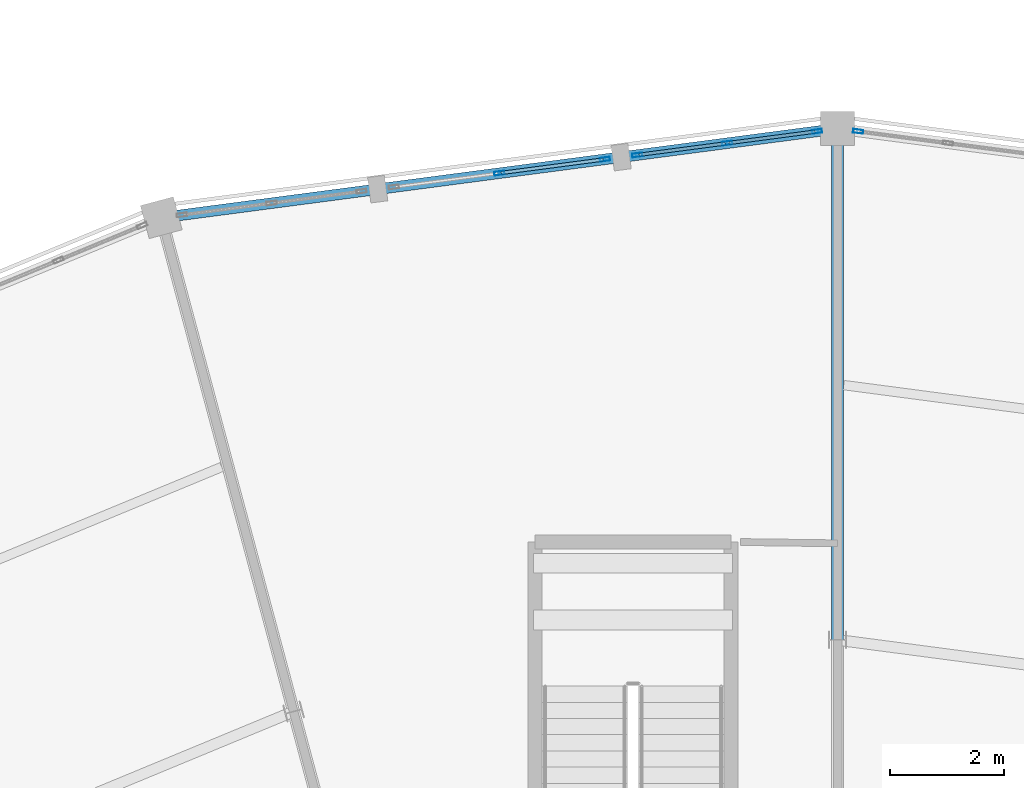
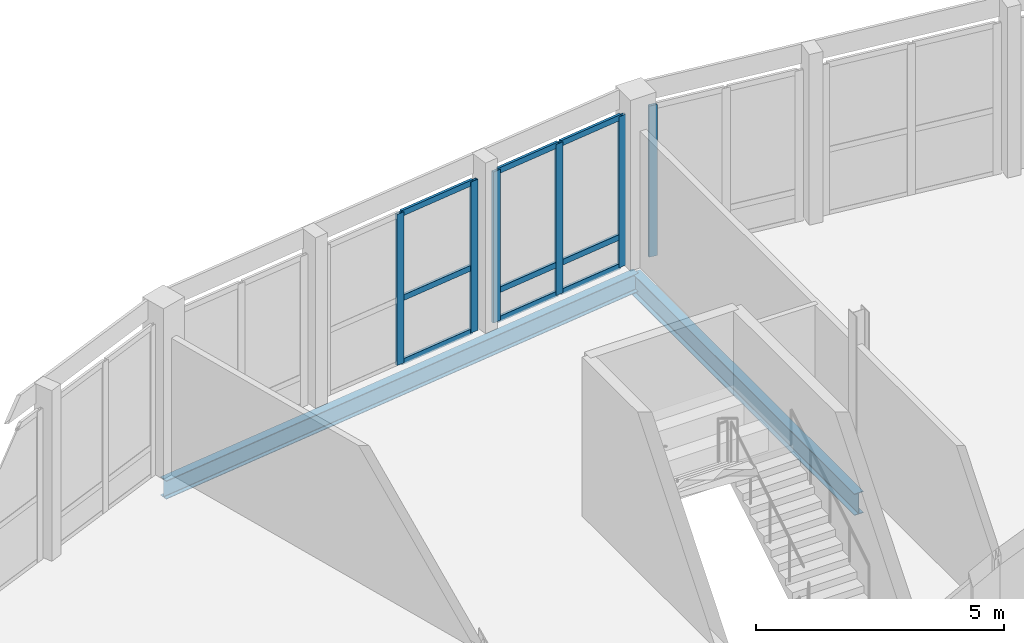
# One storey, part 83 of 170: 15 members, 2 beams, 3 elements without a shape of their own.
"""IFC4 building model written with IfcOpenShell, lengths in metres."""

from ifc_helpers import new_model, si_unit, direction, frame, origin, origin_2d, place, context, subcontext, project, spatial, hollow_rectangle, i_section, extrude, material, material_profile, profile_set, type_object, element, aggregate, save


model = new_model("IFC4")

# Units and contexts
model_context = context("Model", 3, precision=1e-05, world=origin(), true_north=direction((0.0, 1.0)))
body_context = subcontext(model_context, "Body", "Model", "MODEL_VIEW")
ifc_project = project(units=[si_unit("LENGTHUNIT", "METRE"), si_unit("AREAUNIT", "SQUARE_METRE"), si_unit("VOLUMEUNIT", "CUBIC_METRE"), si_unit("PLANEANGLEUNIT", "RADIAN"), si_unit("MASSUNIT", "GRAM", prefix="KILO")], contexts=[model_context])

# Site, building, storey
site_placement = place(None, origin())
site = spatial("IfcSite", under=ifc_project, at=site_placement, CompositionType="ELEMENT")
building_placement = place(site_placement, origin())
building = spatial("IfcBuilding", under=site, at=building_placement, Name="Vondelvale Polytechnic", CompositionType="ELEMENT")
storey_placement = place(building_placement, frame((0.0, 0.0, 5.39990234375)))
storey = spatial("IfcBuildingStorey", under=building, at=storey_placement, Name="L01", CompositionType="ELEMENT", Elevation=5.39990234375)

# Beams
ifc_material_1 = material(Name="Steel 300PLUS (fy = 300 MPa)", Category="steel")
ifc_material_profile_1 = material_profile(ifc_material_1, i_section(OverallWidth=0.18994140625, OverallDepth=0.45703125, WebThickness=0.009033203125, FlangeThickness=0.014404296875, FilletRadius=0.011474609375, at=origin_2d()), Name="460UB74.6")
ifc_profile_set_1 = profile_set([ifc_material_profile_1], Name="Steel 300PLUS (fy = 300 MPa)")
beam_type_1 = type_object("IfcBeamType", Name="BM-UB460", PredefinedType="BEAM", material=ifc_profile_set_1)
beam_1_placement = place(storey_placement, frame((102.0, 118.0, -0.50830078125), z_axis=(-0.991445297315, -0.130522880875, 0.0), x_axis=(0.130522880875, -0.991445297315, 0.0)))
element("IfcBeam", 1, at=beam_1_placement, inside=storey, type_object=beam_type_1, Name="L01 RB B-13", PredefinedType="BEAM", context=body_context, shape_type="SweptSolid", body=[
    extrude(i_section(OverallWidth=0.18994140625, OverallDepth=0.45703125, WebThickness=0.009033203125, FlangeThickness=0.014404296875, FilletRadius=0.011474609375, at=origin_2d()), origin(), (0.0, 0.0, 1.0), 12.008544921875),
])
ifc_material_profile_2 = material_profile(ifc_material_1, i_section(OverallWidth=0.208984375, OverallDepth=0.532958984375, WebThickness=0.01025390625, FlangeThickness=0.015625, FilletRadius=0.013916015625, at=origin_2d()), Name="530UB92.4")
ifc_profile_set_2 = profile_set([ifc_material_profile_2], Name="Steel 300PLUS (fy = 300 MPa)")
beam_type_2 = type_object("IfcBeamType", Name="BM-UB530", PredefinedType="BEAM", material=ifc_profile_set_2)
beam_2_placement = place(storey_placement, frame((102.0, 109.0, -0.54638671875), z_axis=(0.0, 1.0, 0.0), x_axis=(-1.0, 0.0, 0.0)))
element("IfcBeam", 2, at=beam_2_placement, inside=storey, type_object=beam_type_2, Name="L01 RG B-11", PredefinedType="BEAM", context=body_context, shape_type="SweptSolid", body=[
    extrude(i_section(OverallWidth=0.208984375, OverallDepth=0.532958984375, WebThickness=0.01025390625, FlangeThickness=0.015625, FilletRadius=0.013916015625, at=origin_2d()), origin(), (0.0, 0.0, 1.0), 9.0),
])

# Curtain wall, member
ifc_material_2 = material(Name="Glulam GL18 structural Tasmanian oak (fb = 42 MPa)", Category="wood")
curtain_wall_type = type_object("IfcCurtainWallType", Name="CW-RING-OUTER", PredefinedType="NOTDEFINED", material=ifc_material_2)
curtain_wall_1_placement = place(storey_placement, origin())
curtain_wall_1 = element("IfcCurtainWall", 3, at=curtain_wall_1_placement, inside=storey, type_object=curtain_wall_type, Name="L01 architectural curtain wall CW-04-138", PredefinedType="NOTDEFINED")
ifc_material_3 = material(Name="Anodised extruded aluminium 6063-T6", Category="aluminium")
ifc_material_profile_3 = material_profile(ifc_material_3, hollow_rectangle(XDim=0.06494140625, YDim=0.179931640625, WallThickness=0.00390625, at=origin_2d()), Name="CW-MUL-180x65")
ifc_profile_set_3 = profile_set([ifc_material_profile_3], Name="Anodised extruded aluminium 6063-T6")
member_type_1 = type_object("IfcMemberType", Name="CW-MUL-65x180", PredefinedType="MULLION", material=ifc_profile_set_3)
member_1_placement = place(storey_placement, frame((102.362060546875, 117.952392578125, 0.0), z_axis=(0.0, 0.0, 1.0), x_axis=(-0.130539547729, -0.991443102996, 0.0)))
member_1 = element("IfcMember", 4, at=member_1_placement, type_object=member_type_1, Name="CW-04-138 mullion 3", PredefinedType="MULLION", context=body_context, shape_type="SweptSolid", body=[
    extrude(hollow_rectangle(XDim=0.06494140625, YDim=0.179931640625, WallThickness=0.00390625, at=origin_2d()), origin(), (0.0, 0.0, 1.0), 3.72021484375),
])
aggregate(curtain_wall_1, [member_1])

# Curtain wall, members
curtain_wall_2_placement = place(storey_placement, origin())
curtain_wall_2 = element("IfcCurtainWall", 5, at=curtain_wall_2_placement, inside=storey, type_object=curtain_wall_type, Name="L01 architectural curtain wall CW-04-156", PredefinedType="NOTDEFINED")
member_2_placement = place(storey_placement, frame((101.637939453125, 117.952392578125, 0.0), z_axis=(0.0, 0.0, 1.0), x_axis=(0.130539547729, -0.991443102996, 0.0)))
member_2 = element("IfcMember", 6, at=member_2_placement, type_object=member_type_1, Name="CW-04-156 mullion 1", PredefinedType="MULLION", context=body_context, shape_type="SweptSolid", body=[
    extrude(hollow_rectangle(XDim=0.06494140625, YDim=0.179931640625, WallThickness=0.00390625, at=origin_2d()), origin(), (0.0, 0.0, 1.0), 3.72021484375),
])
member_3_placement = place(storey_placement, frame((100.056640625, 117.744140625, 0.0), z_axis=(0.0, 0.0, 1.0), x_axis=(0.130539547729, -0.991443102996, 0.0)))
member_3 = element("IfcMember", 7, at=member_3_placement, type_object=member_type_1, Name="CW-04-156 mullion 2", PredefinedType="MULLION", context=body_context, shape_type="SweptSolid", body=[
    extrude(hollow_rectangle(XDim=0.06494140625, YDim=0.179931640625, WallThickness=0.00390625, at=origin_2d()), origin(), (0.0, 0.0, 1.0), 3.72021484375),
])
member_4_placement = place(storey_placement, frame((98.475341796875, 117.535888671875, 0.0), z_axis=(0.0, 0.0, 1.0), x_axis=(0.130539547729, -0.991443102996, 0.0)))
member_4 = element("IfcMember", 8, at=member_4_placement, type_object=member_type_1, Name="CW-04-156 mullion 3", PredefinedType="MULLION", context=body_context, shape_type="SweptSolid", body=[
    extrude(hollow_rectangle(XDim=0.06494140625, YDim=0.179931640625, WallThickness=0.00390625, at=origin_2d()), origin(), (0.0, 0.0, 1.0), 3.72021484375),
])

curtain_wall_3_placement = place(storey_placement, origin())
curtain_wall_3 = element("IfcCurtainWall", 9, at=curtain_wall_3_placement, inside=storey, type_object=curtain_wall_type, Name="L01 architectural curtain wall CW-04-157", PredefinedType="NOTDEFINED")
member_5_placement = place(storey_placement, frame((97.9052734375, 117.4609375, 0.0), z_axis=(0.0, 0.0, 1.0), x_axis=(0.130497251349, -0.991448671082, 0.0)))
member_5 = element("IfcMember", 10, at=member_5_placement, type_object=member_type_1, Name="CW-04-157 mullion 1", PredefinedType="MULLION", context=body_context, shape_type="SweptSolid", body=[
    extrude(hollow_rectangle(XDim=0.06494140625, YDim=0.179931640625, WallThickness=0.00390625, at=origin_2d()), origin(), (0.0, 0.0, 1.0), 3.72021484375),
])
member_6_placement = place(storey_placement, frame((96.047119140625, 117.21630859375, 0.0), z_axis=(0.0, 0.0, 1.0), x_axis=(0.130497251349, -0.991448671082, 0.0)))
member_6 = element("IfcMember", 11, at=member_6_placement, type_object=member_type_1, Name="CW-04-157 mullion 2", PredefinedType="MULLION", context=body_context, shape_type="SweptSolid", body=[
    extrude(hollow_rectangle(XDim=0.06494140625, YDim=0.179931640625, WallThickness=0.00390625, at=origin_2d()), origin(), (0.0, 0.0, 1.0), 3.72021484375),
])

# Member
ifc_material_profile_4 = material_profile(ifc_material_3, hollow_rectangle(XDim=0.06005859375, YDim=0.139892578125, WallThickness=0.00341796875, at=origin_2d()), Name="CW-TRN-140x60")
ifc_profile_set_4 = profile_set([ifc_material_profile_4], Name="Anodised extruded aluminium 6063-T6")
member_type_2 = type_object("IfcMemberType", Name="CW-TRN-60x140", PredefinedType="USERDEFINED", material=ifc_profile_set_4)
member_7_placement = place(storey_placement, frame((101.605712890625, 117.947998046875, 0.030029296875), z_axis=(-0.991443972703, -0.130532942165, 0.0), x_axis=(0.130532942165, -0.991443972703, 0.0)))
member_7 = element("IfcMember", 12, at=member_7_placement, type_object=member_type_2, Name="CW-04-156 transom 1.1", ObjectType="TRANSOM", PredefinedType="USERDEFINED", context=body_context, shape_type="SweptSolid", body=[
    extrude(hollow_rectangle(XDim=0.06005859375, YDim=0.139892578125, WallThickness=0.00341796875, at=origin_2d()), origin(), (0.0, 0.0, 1.0), 1.530029296875),
])

member_8_placement = place(storey_placement, frame((101.605712890625, 117.947998046875, 0.75), z_axis=(-0.991443972703, -0.130532942165, 0.0), x_axis=(0.130532942165, -0.991443972703, 0.0)))
member_8 = element("IfcMember", 13, at=member_8_placement, type_object=member_type_2, Name="CW-04-156 transom 1.2", ObjectType="TRANSOM", PredefinedType="USERDEFINED", context=body_context, shape_type="SweptSolid", body=[
    extrude(hollow_rectangle(XDim=0.06005859375, YDim=0.139892578125, WallThickness=0.00341796875, at=origin_2d()), origin(), (0.0, 0.0, 1.0), 1.530029296875),
])

member_9_placement = place(storey_placement, frame((101.605712890625, 117.947998046875, 3.690185546875), z_axis=(-0.991443972703, -0.130532942165, 0.0), x_axis=(0.130532942165, -0.991443972703, 0.0)))
member_9 = element("IfcMember", 14, at=member_9_placement, type_object=member_type_2, Name="CW-04-156 transom 1.3", ObjectType="TRANSOM", PredefinedType="USERDEFINED", context=body_context, shape_type="SweptSolid", body=[
    extrude(hollow_rectangle(XDim=0.06005859375, YDim=0.139892578125, WallThickness=0.00341796875, at=origin_2d()), origin(), (0.0, 0.0, 1.0), 1.530029296875),
])

member_10_placement = place(storey_placement, frame((100.0244140625, 117.739990234375, 0.030029296875), z_axis=(-0.991446691045, -0.130512293736, 0.0), x_axis=(0.130512293736, -0.991446691045, 0.0)))
member_10 = element("IfcMember", 15, at=member_10_placement, type_object=member_type_2, Name="CW-04-156 transom 2.1", ObjectType="TRANSOM", PredefinedType="USERDEFINED", context=body_context, shape_type="SweptSolid", body=[
    extrude(hollow_rectangle(XDim=0.06005859375, YDim=0.139892578125, WallThickness=0.00341796875, at=origin_2d()), origin(), (0.0, 0.0, 1.0), 1.5302734375),
])

member_11_placement = place(storey_placement, frame((100.0244140625, 117.739990234375, 0.75), z_axis=(-0.991446691045, -0.130512293736, 0.0), x_axis=(0.130512293736, -0.991446691045, 0.0)))
member_11 = element("IfcMember", 16, at=member_11_placement, type_object=member_type_2, Name="CW-04-156 transom 2.2", ObjectType="TRANSOM", PredefinedType="USERDEFINED", context=body_context, shape_type="SweptSolid", body=[
    extrude(hollow_rectangle(XDim=0.06005859375, YDim=0.139892578125, WallThickness=0.00341796875, at=origin_2d()), origin(), (0.0, 0.0, 1.0), 1.5302734375),
])

member_12_placement = place(storey_placement, frame((100.0244140625, 117.739990234375, 3.690185546875), z_axis=(-0.991446691045, -0.130512293736, 0.0), x_axis=(0.130512293736, -0.991446691045, 0.0)))
member_12 = element("IfcMember", 17, at=member_12_placement, type_object=member_type_2, Name="CW-04-156 transom 2.3", ObjectType="TRANSOM", PredefinedType="USERDEFINED", context=body_context, shape_type="SweptSolid", body=[
    extrude(hollow_rectangle(XDim=0.06005859375, YDim=0.139892578125, WallThickness=0.00341796875, at=origin_2d()), origin(), (0.0, 0.0, 1.0), 1.5302734375),
])

aggregate(curtain_wall_2, [member_2, member_3, member_4, member_7, member_8, member_9, member_10, member_11, member_12])

member_13_placement = place(storey_placement, frame((97.873046875, 117.45654296875, 0.030029296875), z_axis=(-0.991449242357, -0.130492911033, 0.0), x_axis=(0.130492911033, -0.991449242357, 0.0)))
member_13 = element("IfcMember", 18, at=member_13_placement, type_object=member_type_2, Name="CW-04-157 transom 1.1", ObjectType="TRANSOM", PredefinedType="USERDEFINED", context=body_context, shape_type="SweptSolid", body=[
    extrude(hollow_rectangle(XDim=0.06005859375, YDim=0.139892578125, WallThickness=0.00341796875, at=origin_2d()), origin(), (0.0, 0.0, 1.0), 1.80908203125),
])

member_14_placement = place(storey_placement, frame((97.873046875, 117.45654296875, 1.60009765625), z_axis=(-0.991449242357, -0.130492911033, 0.0), x_axis=(0.130492911033, -0.991449242357, 0.0)))
member_14 = element("IfcMember", 19, at=member_14_placement, type_object=member_type_2, Name="CW-04-157 transom 1.2", ObjectType="TRANSOM", PredefinedType="USERDEFINED", context=body_context, shape_type="SweptSolid", body=[
    extrude(hollow_rectangle(XDim=0.06005859375, YDim=0.139892578125, WallThickness=0.00341796875, at=origin_2d()), origin(), (0.0, 0.0, 1.0), 1.80908203125),
])

member_15_placement = place(storey_placement, frame((97.873046875, 117.45654296875, 3.690185546875), z_axis=(-0.991449242357, -0.130492911033, 0.0), x_axis=(0.130492911033, -0.991449242357, 0.0)))
member_15 = element("IfcMember", 20, at=member_15_placement, type_object=member_type_2, Name="CW-04-157 transom 1.3", ObjectType="TRANSOM", PredefinedType="USERDEFINED", context=body_context, shape_type="SweptSolid", body=[
    extrude(hollow_rectangle(XDim=0.06005859375, YDim=0.139892578125, WallThickness=0.00341796875, at=origin_2d()), origin(), (0.0, 0.0, 1.0), 1.80908203125),
])

aggregate(curtain_wall_3, [member_5, member_6, member_13, member_14, member_15])

save(model, "model.ifc")
